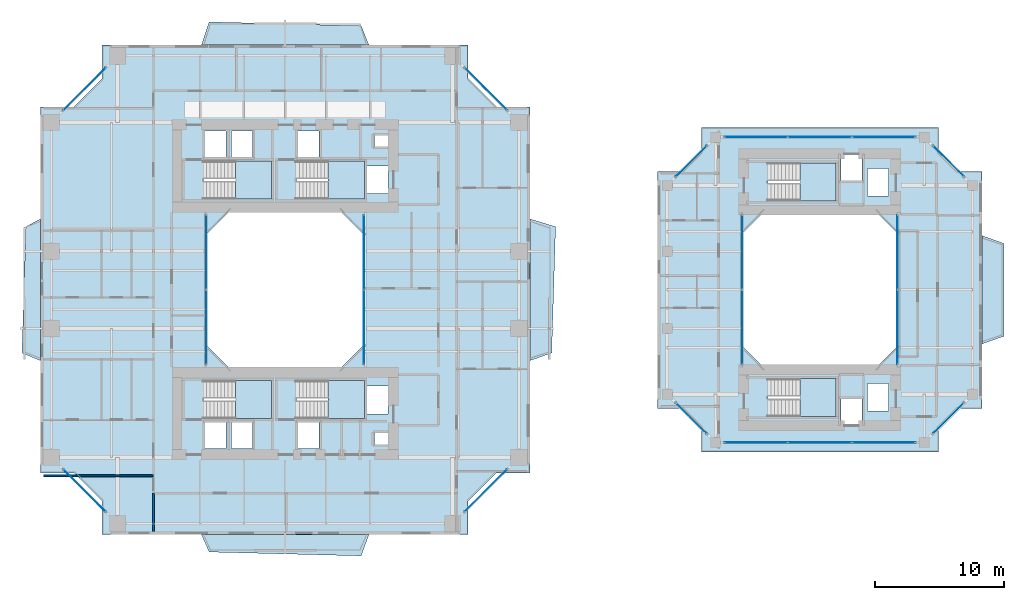
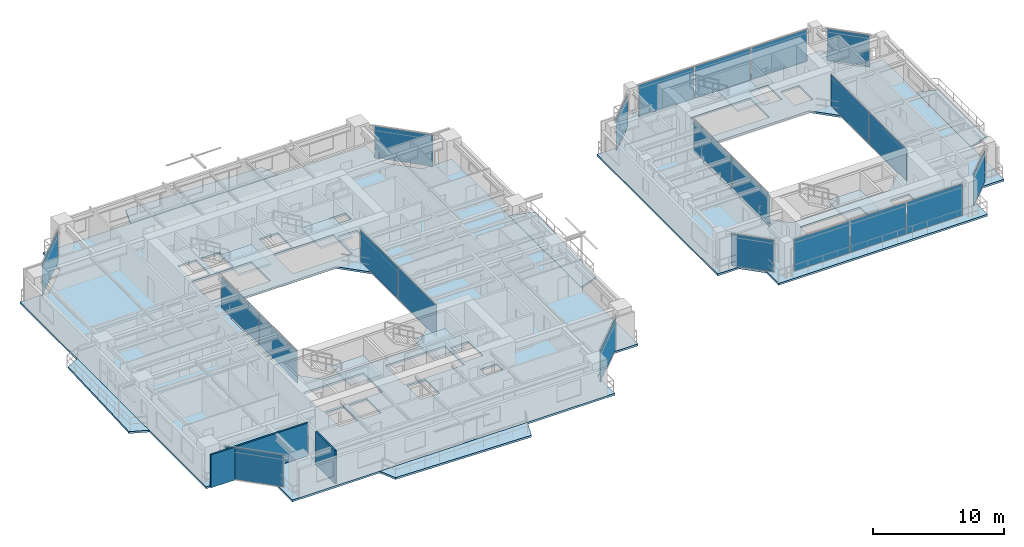
# One storey, part 11 of 23: 22 plates, 13 slabs, 2 walls, 20 elements without a shape of their own.
"""IFC4 building model written with IfcOpenShell, lengths in metres."""

import ifcopenshell
import ifcopenshell.guid

model = None  # the IFC model being written
_history = None  # IfcOwnerHistory: only IFC2X3 demands one
_inside = {}  # id of a spatial element -> (the spatial element, [elements in it])
_under = {}  # id of a project, library or spatial element -> (it, [spatial elements below it])
_declared = {}  # id of a project -> (the project, [libraries it declares])
_typed = {}  # id of a type object -> (the type object, [elements of that type])
_made_of = {}  # id of a material, layer set ... -> (it, [elements and type objects made of it])


def new_model(schema):
    """Start an empty IFC model of exactly this schema.

    Asked for "IFC4X3", IfcOpenShell would pick the latest addendum, in which some entities
    have other attributes; the version numbers below select the first issue.
    IFC2X3 requires an IfcOwnerHistory on every rooted entity: one is made here for all.
    """
    global model, _history
    if schema == "IFC4X3":
        model = ifcopenshell.file(schema_version=(4, 3, 0, 0))
    else:
        model = ifcopenshell.file(schema=schema)
    _inside.clear()
    _under.clear()
    _declared.clear()
    _typed.clear()
    _made_of.clear()
    _history = None
    if model.schema == "IFC2X3":
        org = make("IfcOrganization", Name="unknown")
        user = make(
            "IfcPersonAndOrganization",
            ThePerson=make("IfcPerson", FamilyName="unknown"),
            TheOrganization=org,
        )
        app = make(
            "IfcApplication",
            ApplicationDeveloper=org,
            Version="unknown",
            ApplicationFullName="unknown",
            ApplicationIdentifier="unknown",
        )
        _history = make(
            "IfcOwnerHistory",
            OwningUser=user,
            OwningApplication=app,
            ChangeAction="ADDED",
            CreationDate=0,
        )
    return model


def make(cls, **values):
    """One entity of the class cls with the attributes given. An attribute that is None is left unset."""
    return model.create_entity(
        cls, **{name: value for name, value in values.items() if value is not None}
    )


def rooted(cls, **values):
    """An entity with a GlobalId (a new one), such as an element, a storey or a relation."""
    return make(cls, GlobalId=ifcopenshell.guid.new(), OwnerHistory=_history, **values)


def si_unit(unit_type, name, prefix=None):
    """IfcSIUnit, for example si_unit("LENGTHUNIT", "METRE", prefix="MILLI")."""
    return make("IfcSIUnit", UnitType=unit_type, Prefix=prefix, Name=name)


def assignment(units):
    """IfcUnitAssignment: the units of a project."""
    return None if units is None else make("IfcUnitAssignment", Units=units)


def point(xyz):
    """IfcCartesianPoint."""
    return None if xyz is None else make("IfcCartesianPoint", Coordinates=xyz)


def direction(xyz):
    """IfcDirection."""
    return None if xyz is None else make("IfcDirection", DirectionRatios=xyz)


def frame(location, z_axis=None, x_axis=None):
    """IfcAxis2Placement3D, a coordinate frame: its origin and axes. An axis left out is left unset."""
    return make(
        "IfcAxis2Placement3D",
        Location=point(location),
        Axis=direction(z_axis),
        RefDirection=direction(x_axis),
    )


def frame_2d(location, x_axis=None):
    """IfcAxis2Placement2D, a coordinate frame in the plane: its origin and x axis."""
    return make(
        "IfcAxis2Placement2D", Location=point(location), RefDirection=direction(x_axis)
    )


def origin():
    """The frame at (0, 0, 0) with its axes left unset."""
    return frame((0.0, 0.0, 0.0))


def origin_2d():
    """The frame at (0, 0) in the plane with its x axis left unset."""
    return frame_2d((0.0, 0.0))


def place(relative_to, where):
    """IfcLocalPlacement: puts the frame where relative to a parent placement (None: the world)."""
    return make(
        "IfcLocalPlacement", PlacementRelTo=relative_to, RelativePlacement=where
    )


def context(
    kind, dimensions, precision=None, world=None, true_north=None, identifier=None
):
    """IfcGeometricRepresentationContext, for example the 3D "Model" context."""
    return make(
        "IfcGeometricRepresentationContext",
        ContextIdentifier=identifier,
        ContextType=kind,
        CoordinateSpaceDimension=dimensions,
        Precision=precision,
        WorldCoordinateSystem=world,
        TrueNorth=true_north,
    )


def subcontext(parent, identifier, kind, view, scale=None):
    """IfcGeometricRepresentationSubContext, for example "Body" below "Model"."""
    return make(
        "IfcGeometricRepresentationSubContext",
        ContextIdentifier=identifier,
        ContextType=kind,
        ParentContext=parent,
        TargetScale=scale,
        TargetView=view,
    )


def project(units=None, contexts=None):
    """IfcProject with its units and contexts."""
    return rooted(
        "IfcProject",
        Name="project",
        RepresentationContexts=contexts,
        UnitsInContext=assignment(units),
    )


def spatial(cls, under=None, at=None, **own):
    """A site, building, storey or space (cls), placed at a placement, below another one or the project."""
    s = rooted(cls, ObjectPlacement=at, **own)
    if under is not None:
        _under.setdefault(under.id(), (under, []))[1].append(s)
    return s


def polyline(points):
    """IfcPolyline through the points."""
    return make("IfcPolyline", Points=[point(p) for p in points])


def profile(cls, at=None, kind="AREA", **sizes):
    """A parametric profile (cls). Its sizes go by their IFC names, for example OverallWidth=200.0."""
    return make(cls, ProfileType=kind, Position=at, **sizes)


def rectangle(**sizes):
    """IfcRectangleProfileDef."""
    return profile("IfcRectangleProfileDef", **sizes)


def outline(outer, holes=None, kind="AREA"):
    """IfcArbitraryClosedProfileDef: a profile drawn as a closed curve; with holes, ...WithVoids."""
    if holes is None:
        return make("IfcArbitraryClosedProfileDef", ProfileType=kind, OuterCurve=outer)
    return make(
        "IfcArbitraryProfileDefWithVoids",
        ProfileType=kind,
        OuterCurve=outer,
        InnerCurves=holes,
    )


def extrude(swept, where, along, depth):
    """IfcExtrudedAreaSolid: the profile swept, set in the frame where, extruded along a direction by depth."""
    return make(
        "IfcExtrudedAreaSolid",
        SweptArea=swept,
        Position=where,
        ExtrudedDirection=direction(along),
        Depth=depth,
    )


def shape(context_of_items, identifier, shape_type, items):
    """IfcShapeRepresentation: the items that make up one representation, for example the "Body"."""
    return make(
        "IfcShapeRepresentation",
        ContextOfItems=context_of_items,
        RepresentationIdentifier=identifier,
        RepresentationType=shape_type,
        Items=items,
    )


def source(mapping_origin, context_of_items, identifier, shape_type, items):
    """IfcRepresentationMap: a shape defined once, which mapped items show again and again."""
    return make(
        "IfcRepresentationMap",
        MappingOrigin=mapping_origin,
        MappedRepresentation=shape(context_of_items, identifier, shape_type, items),
    )


def transform(
    local_origin,
    x_axis=None,
    y_axis=None,
    z_axis=None,
    scale=None,
    scale2=None,
    scale3=None,
    uniform=True,
):
    """IfcCartesianTransformationOperator3D, or its non-uniform kind. x_axis, y_axis, z_axis: its Axis1, 2, 3."""
    if uniform:
        return make(
            "IfcCartesianTransformationOperator3D",
            Axis1=direction(x_axis),
            Axis2=direction(y_axis),
            LocalOrigin=point(local_origin),
            Scale=scale,
            Axis3=direction(z_axis),
        )
    return make(
        "IfcCartesianTransformationOperator3DnonUniform",
        Axis1=direction(x_axis),
        Axis2=direction(y_axis),
        LocalOrigin=point(local_origin),
        Scale=scale,
        Axis3=direction(z_axis),
        Scale2=scale2,
        Scale3=scale3,
    )


def mapped(mapping_source, mapping_target):
    """IfcMappedItem: shows the shape of a source again, moved by a transform."""
    return make(
        "IfcMappedItem", MappingSource=mapping_source, MappingTarget=mapping_target
    )


def material(Name=None, Category=None):
    """IfcMaterial."""
    return make("IfcMaterial", Name=Name, Category=Category)


def layer(
    of_material, thickness, ventilated=None, Name=None, Category=None, Priority=None
):
    """IfcMaterialLayer: one layer of a wall or slab, of a material (None: an air gap)."""
    return make(
        "IfcMaterialLayer",
        Material=of_material,
        LayerThickness=thickness,
        IsVentilated=ventilated,
        Name=Name,
        Category=Category,
        Priority=Priority,
    )


def layer_set(layers, Name=None):
    """IfcMaterialLayerSet."""
    return make("IfcMaterialLayerSet", MaterialLayers=layers, LayerSetName=Name)


def made_of(thing, what):
    """Note that an element or type object is made of a material, layer set ...; save() writes the relation."""
    if what is not None:
        _made_of.setdefault(what.id(), (what, []))[1].append(thing)
    return thing


def type_object(cls, material=None, **own):
    """A type object (cls), such as IfcWallType, which elements share."""
    return made_of(rooted(cls, **own), material)


def element(
    cls,
    number,
    at=None,
    inside=None,
    cuts=None,
    type_object=None,
    material=None,
    context=None,
    identifier="Body",
    shape_type=None,
    held_by="IfcProductDefinitionShape",
    body=None,
    shapes=None,
    **own,
):
    """One element of the class cls, such as IfcWall. Its Tag is "e" and its number.

    at: its placement. inside: the storey or other place that contains it. cuts: it is an
    opening in that element (IfcRelVoidsElement). A single representation is given by context,
    identifier, shape_type and body (its items); several are given by shapes. held_by: the class
    of the entity that holds the representations. save() writes the other relations.
    """
    e = rooted(cls, Tag="e%d" % number, ObjectPlacement=at, **own)
    if body is not None:
        shapes = [shape(context, identifier, shape_type, body)]
    if shapes is not None:
        e.Representation = make(held_by, Representations=shapes)
    if inside is not None:
        _inside.setdefault(inside.id(), (inside, []))[1].append(e)
    if cuts is not None:
        rooted(
            "IfcRelVoidsElement", RelatingBuildingElement=cuts, RelatedOpeningElement=e
        )
    if type_object is not None:
        _typed.setdefault(type_object.id(), (type_object, []))[1].append(e)
    return made_of(e, material)


def aggregate(whole, parts):
    """IfcRelAggregates: a whole, such as a stair, and the parts it consists of."""
    return rooted("IfcRelAggregates", RelatingObject=whole, RelatedObjects=parts)


def save(model, path):
    """Write the relations noted so far, then the file.

    IfcRelAggregates (storeys below a building ...), IfcRelContainedInSpatialStructure (elements
    in a storey), IfcRelDefinesByType, IfcRelAssociatesMaterial and IfcRelDeclares: one each for
    every whole, place, type object, material and project.
    """
    for whole, parts in _under.values():
        aggregate(whole, parts)
    for where, things in _inside.values():
        rooted(
            "IfcRelContainedInSpatialStructure",
            RelatedElements=things,
            RelatingStructure=where,
        )
    for kind, things in _typed.values():
        rooted("IfcRelDefinesByType", RelatedObjects=things, RelatingType=kind)
    for what, things in _made_of.values():
        rooted("IfcRelAssociatesMaterial", RelatedObjects=things, RelatingMaterial=what)
    for by, libraries in _declared.values():
        rooted("IfcRelDeclares", RelatingContext=by, RelatedDefinitions=libraries)
    model.write(path)


model = new_model("IFC4")

# Units and contexts
model_context = context("Model", 3, precision=1e-05, world=origin(), true_north=direction((0.0, 1.0)))
body_context = subcontext(model_context, "Body", "Model", "MODEL_VIEW")
ifc_project = project(units=[si_unit("LENGTHUNIT", "METRE"), si_unit("AREAUNIT", "SQUARE_METRE"), si_unit("VOLUMEUNIT", "CUBIC_METRE"), si_unit("PLANEANGLEUNIT", "RADIAN"), si_unit("MASSUNIT", "GRAM", prefix="KILO"), si_unit("THERMODYNAMICTEMPERATUREUNIT", "KELVIN"), si_unit("POWERUNIT", "WATT")], contexts=[model_context])

# Site, building, storey
site_placement = place(None, origin())
site = spatial("IfcSite", under=ifc_project, at=site_placement, CompositionType="ELEMENT")
building_placement = place(site_placement, origin())
building = spatial("IfcBuilding", under=site, at=building_placement, Name="Qiaomeng Ring Towers", CompositionType="ELEMENT")
storey_placement = place(building_placement, frame((0.0, 0.0, 76.25)))
storey = spatial("IfcBuildingStorey", under=building, at=storey_placement, Name="L21", CompositionType="ELEMENT", Elevation=76.25)

# Slabs
ifc_material_1 = material(Name="Concrete C40", Category="concrete")
ifc_layer_1 = layer(ifc_material_1, 0.179931640625, Name="Concrete C40")
ifc_layer_set_1 = layer_set([ifc_layer_1], Name="Concrete C40")
slab_type_1 = type_object("IfcSlabType", Name="STR-SL-180", PredefinedType="FLOOR", material=ifc_layer_set_1)
slab_1_placement = place(storey_placement, frame((0.0, 0.0, -0.179931640625)))
element("IfcSlab", 1, at=slab_1_placement, inside=storey, type_object=slab_type_1, Name="L21 Tower 1 Annular Floor Slab", PredefinedType="FLOOR", context=body_context, shape_type="SweptSolid", body=[
    extrude(outline(polyline([(4.800048828125, 4.0), (33.199951171875, 4.0), (33.199951171875, 6.60009765625), (35.39990234375, 8.800048828125), (38.0, 8.800048828125), (38.0, 37.199951171875), (35.39990234375, 37.199951171875), (33.199951171875, 39.39990234375), (33.199951171875, 42.0), (4.800048828125, 42.0), (4.800048828125, 39.39990234375), (2.60009765625, 37.199951171875), (0.0, 37.199951171875), (0.0, 8.800048828125), (2.60009765625, 8.800048828125), (4.800048828125, 6.60009765625), (4.800048828125, 4.0)]), holes=[polyline([(12.780029296875, 10.679931640625), (12.780029296875, 12.820068359375), (14.419921875, 12.820068359375), (14.419921875, 10.679931640625), (12.780029296875, 10.679931640625)]), polyline([(14.830078125, 12.820068359375), (16.469970703125, 12.820068359375), (16.469970703125, 10.679931640625), (14.830078125, 10.679931640625), (14.830078125, 12.820068359375)]), polyline([(12.679931640625, 15.949951171875), (17.949951171875, 15.949951171875), (17.949951171875, 13.010009765625), (12.679931640625, 13.010009765625), (12.679931640625, 15.949951171875)]), polyline([(25.199951171875, 27.199951171875), (25.199951171875, 18.800048828125), (23.199951171875, 16.800048828125), (14.800048828125, 16.800048828125), (12.800048828125, 18.800048828125), (12.800048828125, 27.199951171875), (14.800048828125, 29.199951171875), (23.199951171875, 29.199951171875), (25.199951171875, 27.199951171875)]), polyline([(12.679931640625, 32.989990234375), (17.949951171875, 32.989990234375), (17.949951171875, 30.050048828125), (12.679931640625, 30.050048828125), (12.679931640625, 32.989990234375)]), polyline([(12.780029296875, 35.320068359375), (14.419921875, 35.320068359375), (14.419921875, 33.179931640625), (12.780029296875, 33.179931640625), (12.780029296875, 35.320068359375)]), polyline([(14.830078125, 35.320068359375), (16.469970703125, 35.320068359375), (16.469970703125, 33.179931640625), (14.830078125, 33.179931640625), (14.830078125, 35.320068359375)]), polyline([(19.97998046875, 35.320068359375), (21.6201171875, 35.320068359375), (21.6201171875, 33.179931640625), (19.97998046875, 33.179931640625), (19.97998046875, 35.320068359375)]), polyline([(25.919921875, 11.89990234375), (27.360107421875, 11.89990234375), (27.360107421875, 11.0), (25.919921875, 11.0), (25.919921875, 11.89990234375)]), polyline([(19.97998046875, 12.820068359375), (21.6201171875, 12.820068359375), (21.6201171875, 10.679931640625), (19.97998046875, 10.679931640625), (19.97998046875, 12.820068359375)]), polyline([(25.360107421875, 15.52001953125), (27.0, 15.52001953125), (27.0, 13.3798828125), (25.360107421875, 13.3798828125), (25.360107421875, 15.52001953125)]), polyline([(19.8798828125, 15.949951171875), (25.14990234375, 15.949951171875), (25.14990234375, 13.010009765625), (19.8798828125, 13.010009765625), (19.8798828125, 15.949951171875)]), polyline([(19.8798828125, 32.989990234375), (25.14990234375, 32.989990234375), (25.14990234375, 30.050048828125), (19.8798828125, 30.050048828125), (19.8798828125, 32.989990234375)]), polyline([(25.360107421875, 32.6201171875), (27.0, 32.6201171875), (27.0, 30.47998046875), (25.360107421875, 30.47998046875), (25.360107421875, 32.6201171875)]), polyline([(25.919921875, 35.0), (27.360107421875, 35.0), (27.360107421875, 34.10009765625), (25.919921875, 34.10009765625), (25.919921875, 35.0)])]), origin(), (0.0, 0.0, 1.0), 0.179931640625),
])
slab_2_placement = place(storey_placement, frame((0.0, 0.0, -0.179931640625)))
element("IfcSlab", 2, at=slab_2_placement, inside=storey, type_object=slab_type_1, Name="L21 Companion Tower 2 Annular Floor Slab", PredefinedType="FLOOR", context=body_context, shape_type="SweptSolid", body=[
    extrude(outline(polyline([(51.300048828125, 10.39990234375), (69.699951171875, 10.39990234375), (69.699951171875, 12.300048828125), (71.199951171875, 13.800048828125), (73.10009765625, 13.800048828125), (73.10009765625, 32.199951171875), (71.199951171875, 32.199951171875), (69.699951171875, 33.699951171875), (69.699951171875, 35.60009765625), (51.300048828125, 35.60009765625), (51.300048828125, 33.699951171875), (49.800048828125, 32.199951171875), (47.89990234375, 32.199951171875), (47.89990234375, 13.800048828125), (49.800048828125, 13.800048828125), (51.300048828125, 12.300048828125), (51.300048828125, 10.39990234375)]), holes=[polyline([(62.1298828125, 12.3798828125), (62.1298828125, 14.52001953125), (63.77001953125, 14.52001953125), (63.77001953125, 12.3798828125), (62.1298828125, 12.3798828125)]), polyline([(56.47998046875, 13.159912109375), (56.47998046875, 16.10009765625), (61.75, 16.10009765625), (61.75, 13.159912109375), (56.47998046875, 13.159912109375)]), polyline([(64.179931640625, 13.580078125), (64.179931640625, 15.719970703125), (65.820068359375, 15.719970703125), (65.820068359375, 13.580078125), (64.179931640625, 13.580078125)]), polyline([(64.800048828125, 29.10009765625), (66.60009765625, 27.300048828125), (66.60009765625, 18.699951171875), (64.800048828125, 16.89990234375), (56.199951171875, 16.89990234375), (54.39990234375, 18.699951171875), (54.39990234375, 27.300048828125), (56.199951171875, 29.10009765625), (64.800048828125, 29.10009765625)]), polyline([(64.179931640625, 30.280029296875), (64.179931640625, 32.419921875), (65.820068359375, 32.419921875), (65.820068359375, 30.280029296875), (64.179931640625, 30.280029296875)]), polyline([(56.47998046875, 32.840087890625), (61.75, 32.840087890625), (61.75, 29.89990234375), (56.47998046875, 29.89990234375), (56.47998046875, 32.840087890625)]), polyline([(62.1298828125, 33.6201171875), (63.77001953125, 33.6201171875), (63.77001953125, 31.47998046875), (62.1298828125, 31.47998046875), (62.1298828125, 33.6201171875)])]), origin(), (0.0, 0.0, 1.0), 0.179931640625),
])
ifc_layer_2 = layer(ifc_material_1, 0.179931640625, Name="Concrete C40")
ifc_layer_set_2 = layer_set([ifc_layer_2], Name="Concrete C40")
slab_type_2 = type_object("IfcSlabType", Name="STR-SL-BAL", PredefinedType="FLOOR", material=ifc_layer_set_2)
slab_3_placement = place(storey_placement, frame((0.0, 0.0, -0.179931640625)))
element("IfcSlab", 3, at=slab_3_placement, inside=storey, type_object=slab_type_2, Name="L21 Tower 1 S Faceted Balcony Slab", PredefinedType="FLOOR", context=body_context, shape_type="SweptSolid", body=[
    extrude(outline(polyline([(24.89990234375, 2.35009765625), (13.10009765625, 2.64990234375), (12.5, 4.0), (25.5, 4.0), (24.89990234375, 2.35009765625)])), origin(), (0.0, 0.0, 1.0), 0.179931640625),
])
slab_4_placement = place(storey_placement, frame((0.0, 0.0, -0.179931640625)))
element("IfcSlab", 4, at=slab_4_placement, inside=storey, type_object=slab_type_2, Name="L21 Tower 1 E Faceted Balcony Slab", PredefinedType="FLOOR", context=body_context, shape_type="SweptSolid", body=[
    extrude(outline(polyline([(39.989990234375, 27.89990234375), (39.68994140625, 18.10009765625), (38.0, 17.5), (38.0, 28.5), (39.989990234375, 27.89990234375)])), origin(), (0.0, 0.0, 1.0), 0.179931640625),
])
slab_5_placement = place(storey_placement, frame((0.0, 0.0, -0.179931640625)))
element("IfcSlab", 5, at=slab_5_placement, inside=storey, type_object=slab_type_2, Name="L21 Tower 1 N Faceted Balcony Slab", PredefinedType="FLOOR", context=body_context, shape_type="SweptSolid", body=[
    extrude(outline(polyline([(12.5, 42.0), (13.10009765625, 43.7900390625), (24.89990234375, 43.489990234375), (25.5, 42.0), (12.5, 42.0)])), origin(), (0.0, 0.0, 1.0), 0.179931640625),
])
slab_6_placement = place(storey_placement, frame((0.0, 0.0, -0.179931640625)))
element("IfcSlab", 6, at=slab_6_placement, inside=storey, type_object=slab_type_2, Name="L21 Tower 1 W Faceted Balcony Slab", PredefinedType="FLOOR", context=body_context, shape_type="SweptSolid", body=[
    extrude(outline(polyline([(0.0, 17.5), (-1.429931640625, 18.10009765625), (-1.1298828125, 27.89990234375), (0.0, 28.5), (0.0, 17.5)])), origin(), (0.0, 0.0, 1.0), 0.179931640625),
])
slab_7_placement = place(storey_placement, frame((0.0, 0.0, -0.179931640625)))
element("IfcSlab", 7, at=slab_7_placement, inside=storey, type_object=slab_type_2, Name="L21 Companion East Faceted Balcony Slab", PredefinedType="FLOOR", context=body_context, shape_type="SweptSolid", body=[
    extrude(outline(polyline([(74.7900390625, 26.60009765625), (74.7900390625, 19.39990234375), (73.10009765625, 18.800048828125), (73.10009765625, 27.199951171875), (74.7900390625, 26.60009765625)])), origin(), (0.0, 0.0, 1.0), 0.179931640625),
])

# Stair, slab
ifc_material_2 = material(Name="Precast concrete C40", Category="concrete")
stair_type = type_object("IfcStairType", Name="ARC-ST-325", PredefinedType="HALF_TURN_STAIR", material=ifc_material_2)
stair_1_placement = place(storey_placement, origin())
stair_1 = element("IfcStair", 8, at=stair_1_placement, inside=storey, type_object=stair_type, Name="L21 Tower 1 North Stair 1", PredefinedType="HALF_TURN_STAIR")
ifc_layer_3 = layer(ifc_material_1, 0.199951171875, Name="Concrete C40")
ifc_layer_set_3 = layer_set([ifc_layer_3], Name="Concrete C40")
slab_type_3 = type_object("IfcSlabType", Name="STR-SL-LANDING", PredefinedType="LANDING", material=ifc_layer_set_3)
slab_8_placement = place(storey_placement, frame((0.0, 0.0, 1.425048828125)))
slab_8 = element("IfcSlab", 9, at=slab_8_placement, type_object=slab_type_3, Name="ST1 landing 1", PredefinedType="LANDING", context=body_context, shape_type="SweptSolid", body=[
    extrude(outline(polyline([(15.139892578125, 30.050048828125), (17.949951171875, 30.050048828125), (17.949951171875, 32.989990234375), (15.139892578125, 32.989990234375), (15.139892578125, 30.050048828125)])), origin(), (0.0, 0.0, 1.0), 0.199951171875),
])
aggregate(stair_1, [slab_8])

stair_2_placement = place(storey_placement, origin())
stair_2 = element("IfcStair", 10, at=stair_2_placement, inside=storey, type_object=stair_type, Name="L21 Tower 1 North Stair 2", PredefinedType="HALF_TURN_STAIR")
slab_9_placement = place(storey_placement, frame((0.0, 0.0, 1.425048828125)))
slab_9 = element("IfcSlab", 11, at=slab_9_placement, type_object=slab_type_3, Name="ST2 landing 1", PredefinedType="LANDING", context=body_context, shape_type="SweptSolid", body=[
    extrude(outline(polyline([(22.340087890625, 30.050048828125), (25.14990234375, 30.050048828125), (25.14990234375, 32.989990234375), (22.340087890625, 32.989990234375), (22.340087890625, 30.050048828125)])), origin(), (0.0, 0.0, 1.0), 0.199951171875),
])
aggregate(stair_2, [slab_9])

stair_3_placement = place(storey_placement, origin())
stair_3 = element("IfcStair", 12, at=stair_3_placement, inside=storey, type_object=stair_type, Name="L21 Tower 1 South Stair 3", PredefinedType="HALF_TURN_STAIR")
slab_10_placement = place(storey_placement, frame((0.0, 0.0, 1.425048828125)))
slab_10 = element("IfcSlab", 13, at=slab_10_placement, type_object=slab_type_3, Name="ST3 landing 1", PredefinedType="LANDING", context=body_context, shape_type="SweptSolid", body=[
    extrude(outline(polyline([(15.139892578125, 13.010009765625), (17.949951171875, 13.010009765625), (17.949951171875, 15.949951171875), (15.139892578125, 15.949951171875), (15.139892578125, 13.010009765625)])), origin(), (0.0, 0.0, 1.0), 0.199951171875),
])
aggregate(stair_3, [slab_10])

stair_4_placement = place(storey_placement, origin())
stair_4 = element("IfcStair", 14, at=stair_4_placement, inside=storey, type_object=stair_type, Name="L21 Tower 1 South Stair 4", PredefinedType="HALF_TURN_STAIR")
slab_11_placement = place(storey_placement, frame((0.0, 0.0, 1.425048828125)))
slab_11 = element("IfcSlab", 15, at=slab_11_placement, type_object=slab_type_3, Name="ST4 landing 1", PredefinedType="LANDING", context=body_context, shape_type="SweptSolid", body=[
    extrude(outline(polyline([(22.340087890625, 13.010009765625), (25.14990234375, 13.010009765625), (25.14990234375, 15.949951171875), (22.340087890625, 15.949951171875), (22.340087890625, 13.010009765625)])), origin(), (0.0, 0.0, 1.0), 0.199951171875),
])
aggregate(stair_4, [slab_11])

stair_5_placement = place(storey_placement, origin())
stair_5 = element("IfcStair", 16, at=stair_5_placement, inside=storey, type_object=stair_type, Name="L21 Companion North Stair 5", PredefinedType="HALF_TURN_STAIR")
slab_12_placement = place(storey_placement, frame((0.0, 0.0, 1.425048828125)))
slab_12 = element("IfcSlab", 17, at=slab_12_placement, type_object=slab_type_3, Name="ST5 landing 1", PredefinedType="LANDING", context=body_context, shape_type="SweptSolid", body=[
    extrude(outline(polyline([(58.93994140625, 29.89990234375), (61.75, 29.89990234375), (61.75, 32.840087890625), (58.93994140625, 32.840087890625), (58.93994140625, 29.89990234375)])), origin(), (0.0, 0.0, 1.0), 0.199951171875),
])
aggregate(stair_5, [slab_12])

stair_6_placement = place(storey_placement, origin())
stair_6 = element("IfcStair", 18, at=stair_6_placement, inside=storey, type_object=stair_type, Name="L21 Companion South Stair 6", PredefinedType="HALF_TURN_STAIR")
slab_13_placement = place(storey_placement, frame((0.0, 0.0, 1.425048828125)))
slab_13 = element("IfcSlab", 19, at=slab_13_placement, type_object=slab_type_3, Name="ST6 landing 1", PredefinedType="LANDING", context=body_context, shape_type="SweptSolid", body=[
    extrude(outline(polyline([(58.93994140625, 13.159912109375), (61.75, 13.159912109375), (61.75, 16.10009765625), (58.93994140625, 16.10009765625), (58.93994140625, 13.159912109375)])), origin(), (0.0, 0.0, 1.0), 0.199951171875),
])
aggregate(stair_6, [slab_13])

# Curtain wall, plates
ifc_material_3 = material(Name="Fluorocarbon dark-grey aluminium", Category="aluminium")
ifc_layer_4 = layer(ifc_material_3, 0.139892578125, Name="Fluorocarbon dark-grey aluminium")
ifc_layer_set_4 = layer_set([ifc_layer_4], Name="Fluorocarbon dark-grey aluminium")
curtain_wall_type_1 = type_object("IfcCurtainWallType", Name="ARC-CW-4", PredefinedType="NOTDEFINED", material=ifc_layer_set_4)
curtain_wall_1_placement = place(storey_placement, origin())
curtain_wall_1 = element("IfcCurtainWall", 20, at=curtain_wall_1_placement, inside=storey, type_object=curtain_wall_type_1, Name="L21 Curtain Wall CW4", PredefinedType="NOTDEFINED")
ifc_material_4 = material(Name="Low-E dark-grey laminated double glazing", Category="glass")
ifc_layer_5 = layer(ifc_material_4, 0.028076171875, Name="Low-E dark-grey laminated double glazing")
ifc_layer_set_5 = layer_set([ifc_layer_5], Name="Low-E dark-grey laminated double glazing")
plate_type = type_object("IfcPlateType", Name="ARC-CWP-DARK", PredefinedType="CURTAIN_PANEL", material=ifc_layer_set_5)
shared_shape_1 = source(origin(), body_context, "Body", "SweptSolid", [
    extrude(rectangle(XDim=5.75244140625, YDim=0.028076171875, at=origin_2d()), origin(), (0.0, 0.0, 1.0), 2.93994140625),
])
plate_1_placement = place(storey_placement, frame((12.8798828125, 20.09130859375, 0.06494140625), z_axis=(0.0, 0.0, 1.0), x_axis=(0.0, 1.0, 0.0)))
plate_1 = element("IfcPlate", 21, at=plate_1_placement, type_object=plate_type, Name="CW4 panel 1.1", PredefinedType="CURTAIN_PANEL", context=body_context, shape_type="MappedRepresentation", body=[
    mapped(shared_shape_1, transform((0.0, 0.0, 0.0), x_axis=(1.0, 0.0, 0.0), y_axis=(0.0, 1.0, 0.0), z_axis=(0.0, 0.0, 1.0), scale=1.0)),
])
plate_2_placement = place(storey_placement, frame((12.8798828125, 25.90869140625, 0.06494140625), z_axis=(0.0, 0.0, 1.0), x_axis=(0.0, 1.0, 0.0)))
plate_2 = element("IfcPlate", 22, at=plate_2_placement, type_object=plate_type, Name="CW4 panel 2.1", PredefinedType="CURTAIN_PANEL", context=body_context, shape_type="MappedRepresentation", body=[
    mapped(shared_shape_1, transform((0.0, 0.0, 0.0), x_axis=(1.0, 0.0, 0.0), y_axis=(0.0, 1.0, 0.0), z_axis=(0.0, 0.0, 1.0), scale=1.0)),
])
aggregate(curtain_wall_1, [plate_1, plate_2])

curtain_wall_2_placement = place(storey_placement, origin())
curtain_wall_2 = element("IfcCurtainWall", 23, at=curtain_wall_2_placement, inside=storey, type_object=curtain_wall_type_1, Name="L21 Curtain Wall CW4", PredefinedType="NOTDEFINED")
plate_3_placement = place(storey_placement, frame((25.1201171875, 20.09130859375, 0.06494140625), z_axis=(0.0, 0.0, 1.0), x_axis=(0.0, 1.0, 0.0)))
plate_3 = element("IfcPlate", 24, at=plate_3_placement, type_object=plate_type, Name="CW4 panel 1.1", PredefinedType="CURTAIN_PANEL", context=body_context, shape_type="MappedRepresentation", body=[
    mapped(shared_shape_1, transform((0.0, 0.0, 0.0), x_axis=(1.0, 0.0, 0.0), y_axis=(0.0, 1.0, 0.0), z_axis=(0.0, 0.0, 1.0), scale=1.0)),
])
plate_4_placement = place(storey_placement, frame((25.1201171875, 25.90869140625, 0.06494140625), z_axis=(0.0, 0.0, 1.0), x_axis=(0.0, 1.0, 0.0)))
plate_4 = element("IfcPlate", 25, at=plate_4_placement, type_object=plate_type, Name="CW4 panel 2.1", PredefinedType="CURTAIN_PANEL", context=body_context, shape_type="MappedRepresentation", body=[
    mapped(shared_shape_1, transform((0.0, 0.0, 0.0), x_axis=(1.0, 0.0, 0.0), y_axis=(0.0, 1.0, 0.0), z_axis=(0.0, 0.0, 1.0), scale=1.0)),
])
aggregate(curtain_wall_2, [plate_3, plate_4])

curtain_wall_3_placement = place(storey_placement, origin())
curtain_wall_3 = element("IfcCurtainWall", 26, at=curtain_wall_3_placement, inside=storey, type_object=curtain_wall_type_1, Name="L21 Curtain Wall CW4", PredefinedType="NOTDEFINED")
plate_5_placement = place(storey_placement, frame((54.47998046875, 20.09130859375, 0.06494140625), z_axis=(0.0, 0.0, 1.0), x_axis=(0.0, 1.0, 0.0)))
plate_5 = element("IfcPlate", 27, at=plate_5_placement, type_object=plate_type, Name="CW4 panel 1.1", PredefinedType="CURTAIN_PANEL", context=body_context, shape_type="MappedRepresentation", body=[
    mapped(shared_shape_1, transform((0.0, 0.0, 0.0), x_axis=(1.0, 0.0, 0.0), y_axis=(0.0, 1.0, 0.0), z_axis=(0.0, 0.0, 1.0), scale=1.0)),
])
plate_6_placement = place(storey_placement, frame((54.47998046875, 25.90869140625, 0.06494140625), z_axis=(0.0, 0.0, 1.0), x_axis=(0.0, 1.0, 0.0)))
plate_6 = element("IfcPlate", 28, at=plate_6_placement, type_object=plate_type, Name="CW4 panel 2.1", PredefinedType="CURTAIN_PANEL", context=body_context, shape_type="MappedRepresentation", body=[
    mapped(shared_shape_1, transform((0.0, 0.0, 0.0), x_axis=(1.0, 0.0, 0.0), y_axis=(0.0, 1.0, 0.0), z_axis=(0.0, 0.0, 1.0), scale=1.0)),
])
aggregate(curtain_wall_3, [plate_5, plate_6])

curtain_wall_4_placement = place(storey_placement, origin())
curtain_wall_4 = element("IfcCurtainWall", 29, at=curtain_wall_4_placement, inside=storey, type_object=curtain_wall_type_1, Name="L21 Curtain Wall CW4", PredefinedType="NOTDEFINED")
plate_7_placement = place(storey_placement, frame((66.52001953125, 20.09130859375, 0.06494140625), z_axis=(0.0, 0.0, 1.0), x_axis=(0.0, 1.0, 0.0)))
plate_7 = element("IfcPlate", 30, at=plate_7_placement, type_object=plate_type, Name="CW4 panel 1.1", PredefinedType="CURTAIN_PANEL", context=body_context, shape_type="MappedRepresentation", body=[
    mapped(shared_shape_1, transform((0.0, 0.0, 0.0), x_axis=(1.0, 0.0, 0.0), y_axis=(0.0, 1.0, 0.0), z_axis=(0.0, 0.0, 1.0), scale=1.0)),
])
plate_8_placement = place(storey_placement, frame((66.52001953125, 25.90869140625, 0.06494140625), z_axis=(0.0, 0.0, 1.0), x_axis=(0.0, 1.0, 0.0)))
plate_8 = element("IfcPlate", 31, at=plate_8_placement, type_object=plate_type, Name="CW4 panel 2.1", PredefinedType="CURTAIN_PANEL", context=body_context, shape_type="MappedRepresentation", body=[
    mapped(shared_shape_1, transform((0.0, 0.0, 0.0), x_axis=(1.0, 0.0, 0.0), y_axis=(0.0, 1.0, 0.0), z_axis=(0.0, 0.0, 1.0), scale=1.0)),
])
aggregate(curtain_wall_4, [plate_7, plate_8])

# Curtain wall, plate
ifc_layer_6 = layer(ifc_material_3, 0.159912109375, Name="Fluorocarbon dark-grey aluminium")
ifc_layer_set_6 = layer_set([ifc_layer_6], Name="Fluorocarbon dark-grey aluminium")
curtain_wall_type_2 = type_object("IfcCurtainWallType", Name="ARC-CW-2", PredefinedType="NOTDEFINED", material=ifc_layer_set_6)
curtain_wall_5_placement = place(storey_placement, origin())
curtain_wall_5 = element("IfcCurtainWall", 32, at=curtain_wall_5_placement, inside=storey, type_object=curtain_wall_type_2, Name="L21 Curtain Wall CW2", PredefinedType="NOTDEFINED")
shared_shape_2 = source(origin(), body_context, "Body", "SweptSolid", [
    extrude(rectangle(XDim=4.6259765625, YDim=0.028076171875, at=origin_2d()), origin(), (0.0, 0.0, 1.0), 2.93994140625),
])
plate_9_placement = place(storey_placement, frame((34.574951171875, 7.425048828125, 0.06494140625), z_axis=(0.0, 0.0, 1.0), x_axis=(0.707106781187, 0.707106781187, 0.0)))
plate_9 = element("IfcPlate", 33, at=plate_9_placement, type_object=plate_type, Name="CW2 panel 1.1", PredefinedType="CURTAIN_PANEL", context=body_context, shape_type="MappedRepresentation", body=[
    mapped(shared_shape_2, transform((0.0, 0.0, 0.0), x_axis=(1.0, 0.0, 0.0), y_axis=(0.0, 1.0, 0.0), z_axis=(0.0, 0.0, 1.0), scale=1.0)),
])
aggregate(curtain_wall_5, [plate_9])

curtain_wall_6_placement = place(storey_placement, origin())
curtain_wall_6 = element("IfcCurtainWall", 34, at=curtain_wall_6_placement, inside=storey, type_object=curtain_wall_type_2, Name="L21 Curtain Wall CW2", PredefinedType="NOTDEFINED")
plate_10_placement = place(storey_placement, frame((34.574951171875, 38.574951171875, 0.06494140625), z_axis=(0.0, 0.0, 1.0), x_axis=(-0.707106781187, 0.707106781187, 0.0)))
plate_10 = element("IfcPlate", 35, at=plate_10_placement, type_object=plate_type, Name="CW2 panel 1.1", PredefinedType="CURTAIN_PANEL", context=body_context, shape_type="MappedRepresentation", body=[
    mapped(shared_shape_2, transform((0.0, 0.0, 0.0), x_axis=(1.0, 0.0, 0.0), y_axis=(0.0, 1.0, 0.0), z_axis=(0.0, 0.0, 1.0), scale=1.0)),
])
aggregate(curtain_wall_6, [plate_10])

curtain_wall_7_placement = place(storey_placement, origin())
curtain_wall_7 = element("IfcCurtainWall", 36, at=curtain_wall_7_placement, inside=storey, type_object=curtain_wall_type_2, Name="L21 Curtain Wall CW2", PredefinedType="NOTDEFINED")
plate_11_placement = place(storey_placement, frame((3.425048828125, 38.574951171875, 0.06494140625), z_axis=(0.0, 0.0, 1.0), x_axis=(-0.707106781187, -0.707106781187, 0.0)))
plate_11 = element("IfcPlate", 37, at=plate_11_placement, type_object=plate_type, Name="CW2 panel 1.1", PredefinedType="CURTAIN_PANEL", context=body_context, shape_type="MappedRepresentation", body=[
    mapped(shared_shape_2, transform((0.0, 0.0, 0.0), x_axis=(1.0, 0.0, 0.0), y_axis=(0.0, 1.0, 0.0), z_axis=(0.0, 0.0, 1.0), scale=1.0)),
])
aggregate(curtain_wall_7, [plate_11])

curtain_wall_8_placement = place(storey_placement, origin())
curtain_wall_8 = element("IfcCurtainWall", 38, at=curtain_wall_8_placement, inside=storey, type_object=curtain_wall_type_2, Name="L21 Curtain Wall CW2", PredefinedType="NOTDEFINED")
plate_12_placement = place(storey_placement, frame((3.425048828125, 7.425048828125, 0.06494140625), z_axis=(0.0, 0.0, 1.0), x_axis=(0.707106781187, -0.707106781187, 0.0)))
plate_12 = element("IfcPlate", 39, at=plate_12_placement, type_object=plate_type, Name="CW2 panel 1.1", PredefinedType="CURTAIN_PANEL", context=body_context, shape_type="MappedRepresentation", body=[
    mapped(shared_shape_2, transform((0.0, 0.0, 0.0), x_axis=(1.0, 0.0, 0.0), y_axis=(0.0, 1.0, 0.0), z_axis=(0.0, 0.0, 1.0), scale=1.0)),
])
aggregate(curtain_wall_8, [plate_12])

# Curtain wall, plates
ifc_layer_7 = layer(ifc_material_3, 0.14990234375, Name="Fluorocarbon dark-grey aluminium")
ifc_layer_set_7 = layer_set([ifc_layer_7], Name="Fluorocarbon dark-grey aluminium")
curtain_wall_type_3 = type_object("IfcCurtainWallType", Name="ARC-CW-5", PredefinedType="NOTDEFINED", material=ifc_layer_set_7)
curtain_wall_9_placement = place(storey_placement, origin())
curtain_wall_9 = element("IfcCurtainWall", 40, at=curtain_wall_9_placement, inside=storey, type_object=curtain_wall_type_3, Name="L21 Curtain Wall CW5", PredefinedType="NOTDEFINED")
shared_shape_3 = source(origin(), body_context, "Body", "SweptSolid", [
    extrude(rectangle(XDim=4.868408203125, YDim=0.028076171875, at=origin_2d()), origin(), (0.0, 0.0, 1.0), 2.93994140625),
])
plate_13_placement = place(storey_placement, frame((55.544189453125, 34.85009765625, 0.06494140625), z_axis=(0.0, 0.0, 1.0), x_axis=(1.0, 0.0, 0.0)))
plate_13 = element("IfcPlate", 41, at=plate_13_placement, type_object=plate_type, Name="CW5 panel 1.1", PredefinedType="CURTAIN_PANEL", context=body_context, shape_type="MappedRepresentation", body=[
    mapped(shared_shape_3, transform((0.0, 0.0, 0.0), x_axis=(1.0, 0.0, 0.0), y_axis=(0.0, 1.0, 0.0), z_axis=(0.0, 0.0, 1.0), scale=1.0)),
])
plate_14_placement = place(storey_placement, frame((65.455810546875, 34.85009765625, 0.06494140625), z_axis=(0.0, 0.0, 1.0), x_axis=(1.0, 0.0, 0.0)))
plate_14 = element("IfcPlate", 42, at=plate_14_placement, type_object=plate_type, Name="CW5 panel 3.1", PredefinedType="CURTAIN_PANEL", context=body_context, shape_type="MappedRepresentation", body=[
    mapped(shared_shape_3, transform((0.0, 0.0, 0.0), x_axis=(1.0, 0.0, 0.0), y_axis=(0.0, 1.0, 0.0), z_axis=(0.0, 0.0, 1.0), scale=1.0)),
])

curtain_wall_10_placement = place(storey_placement, origin())
curtain_wall_10 = element("IfcCurtainWall", 43, at=curtain_wall_10_placement, inside=storey, type_object=curtain_wall_type_3, Name="L21 Curtain Wall CW5", PredefinedType="NOTDEFINED")
plate_15_placement = place(storey_placement, frame((55.544189453125, 11.14990234375, 0.06494140625), z_axis=(0.0, 0.0, 1.0), x_axis=(1.0, 0.0, 0.0)))
plate_15 = element("IfcPlate", 44, at=plate_15_placement, type_object=plate_type, Name="CW5 panel 1.1", PredefinedType="CURTAIN_PANEL", context=body_context, shape_type="MappedRepresentation", body=[
    mapped(shared_shape_3, transform((0.0, 0.0, 0.0), x_axis=(1.0, 0.0, 0.0), y_axis=(0.0, 1.0, 0.0), z_axis=(0.0, 0.0, 1.0), scale=1.0)),
])
plate_16_placement = place(storey_placement, frame((65.455810546875, 11.14990234375, 0.06494140625), z_axis=(0.0, 0.0, 1.0), x_axis=(1.0, 0.0, 0.0)))
plate_16 = element("IfcPlate", 45, at=plate_16_placement, type_object=plate_type, Name="CW5 panel 3.1", PredefinedType="CURTAIN_PANEL", context=body_context, shape_type="MappedRepresentation", body=[
    mapped(shared_shape_3, transform((0.0, 0.0, 0.0), x_axis=(1.0, 0.0, 0.0), y_axis=(0.0, 1.0, 0.0), z_axis=(0.0, 0.0, 1.0), scale=1.0)),
])

# Plate
shared_shape_4 = source(origin(), body_context, "Body", "SweptSolid", [
    extrude(rectangle(XDim=4.9033203125, YDim=0.028076171875, at=origin_2d()), origin(), (0.0, 0.0, 1.0), 2.93994140625),
])
plate_17_placement = place(storey_placement, frame((60.5, 34.85009765625, 0.06494140625), z_axis=(0.0, 0.0, 1.0), x_axis=(1.0, 0.0, 0.0)))
plate_17 = element("IfcPlate", 46, at=plate_17_placement, type_object=plate_type, Name="CW5 panel 2.1", PredefinedType="CURTAIN_PANEL", context=body_context, shape_type="MappedRepresentation", body=[
    mapped(shared_shape_4, transform((0.0, 0.0, 0.0), x_axis=(1.0, 0.0, 0.0), y_axis=(0.0, 1.0, 0.0), z_axis=(0.0, 0.0, 1.0), scale=1.0)),
])

aggregate(curtain_wall_9, [plate_13, plate_17, plate_14])

plate_18_placement = place(storey_placement, frame((60.5, 11.14990234375, 0.06494140625), z_axis=(0.0, 0.0, 1.0), x_axis=(1.0, 0.0, 0.0)))
plate_18 = element("IfcPlate", 47, at=plate_18_placement, type_object=plate_type, Name="CW5 panel 2.1", PredefinedType="CURTAIN_PANEL", context=body_context, shape_type="MappedRepresentation", body=[
    mapped(shared_shape_4, transform((0.0, 0.0, 0.0), x_axis=(1.0, 0.0, 0.0), y_axis=(0.0, 1.0, 0.0), z_axis=(0.0, 0.0, 1.0), scale=1.0)),
])

aggregate(curtain_wall_10, [plate_15, plate_18, plate_16])

# Curtain wall, plate
curtain_wall_11_placement = place(storey_placement, origin())
curtain_wall_11 = element("IfcCurtainWall", 48, at=curtain_wall_11_placement, inside=storey, type_object=curtain_wall_type_3, Name="L21 Curtain Wall CW5", PredefinedType="NOTDEFINED")
shared_shape_5 = source(origin(), body_context, "Body", "SweptSolid", [
    extrude(rectangle(XDim=3.35302734375, YDim=0.028076171875, at=origin_2d()), origin(), (0.0, 0.0, 1.0), 2.93994140625),
])
plate_19_placement = place(storey_placement, frame((70.47509765625, 13.02490234375, 0.06494140625), z_axis=(0.0, 0.0, 1.0), x_axis=(0.707106781187, 0.707106781187, 0.0)))
plate_19 = element("IfcPlate", 49, at=plate_19_placement, type_object=plate_type, Name="CW5 panel 1.1", PredefinedType="CURTAIN_PANEL", context=body_context, shape_type="MappedRepresentation", body=[
    mapped(shared_shape_5, transform((0.0, 0.0, 0.0), x_axis=(1.0, 0.0, 0.0), y_axis=(0.0, 1.0, 0.0), z_axis=(0.0, 0.0, 1.0), scale=1.0)),
])
aggregate(curtain_wall_11, [plate_19])

curtain_wall_12_placement = place(storey_placement, origin())
curtain_wall_12 = element("IfcCurtainWall", 50, at=curtain_wall_12_placement, inside=storey, type_object=curtain_wall_type_3, Name="L21 Curtain Wall CW5", PredefinedType="NOTDEFINED")
plate_20_placement = place(storey_placement, frame((70.47509765625, 32.97509765625, 0.06494140625), z_axis=(0.0, 0.0, 1.0), x_axis=(-0.707106781187, 0.707106781187, 0.0)))
plate_20 = element("IfcPlate", 51, at=plate_20_placement, type_object=plate_type, Name="CW5 panel 1.1", PredefinedType="CURTAIN_PANEL", context=body_context, shape_type="MappedRepresentation", body=[
    mapped(shared_shape_5, transform((0.0, 0.0, 0.0), x_axis=(1.0, 0.0, 0.0), y_axis=(0.0, 1.0, 0.0), z_axis=(0.0, 0.0, 1.0), scale=1.0)),
])
aggregate(curtain_wall_12, [plate_20])

curtain_wall_13_placement = place(storey_placement, origin())
curtain_wall_13 = element("IfcCurtainWall", 52, at=curtain_wall_13_placement, inside=storey, type_object=curtain_wall_type_3, Name="L21 Curtain Wall CW5", PredefinedType="NOTDEFINED")
plate_21_placement = place(storey_placement, frame((50.52490234375, 32.97509765625, 0.06494140625), z_axis=(0.0, 0.0, 1.0), x_axis=(-0.707106781187, -0.707106781187, 0.0)))
plate_21 = element("IfcPlate", 53, at=plate_21_placement, type_object=plate_type, Name="CW5 panel 1.1", PredefinedType="CURTAIN_PANEL", context=body_context, shape_type="MappedRepresentation", body=[
    mapped(shared_shape_5, transform((0.0, 0.0, 0.0), x_axis=(1.0, 0.0, 0.0), y_axis=(0.0, 1.0, 0.0), z_axis=(0.0, 0.0, 1.0), scale=1.0)),
])
aggregate(curtain_wall_13, [plate_21])

curtain_wall_14_placement = place(storey_placement, origin())
curtain_wall_14 = element("IfcCurtainWall", 54, at=curtain_wall_14_placement, inside=storey, type_object=curtain_wall_type_3, Name="L21 Curtain Wall CW5", PredefinedType="NOTDEFINED")
plate_22_placement = place(storey_placement, frame((50.52490234375, 13.02490234375, 0.06494140625), z_axis=(0.0, 0.0, 1.0), x_axis=(0.707106781187, -0.707106781187, 0.0)))
plate_22 = element("IfcPlate", 55, at=plate_22_placement, type_object=plate_type, Name="CW5 panel 1.1", PredefinedType="CURTAIN_PANEL", context=body_context, shape_type="MappedRepresentation", body=[
    mapped(shared_shape_5, transform((0.0, 0.0, 0.0), x_axis=(1.0, 0.0, 0.0), y_axis=(0.0, 1.0, 0.0), z_axis=(0.0, 0.0, 1.0), scale=1.0)),
])
aggregate(curtain_wall_14, [plate_22])

# Walls
ifc_material_5 = material(Name="Gypsum fireboard steel-stud partition", Category="steel")
ifc_layer_8 = layer(ifc_material_5, 0.14990234375, Name="Gypsum fireboard steel-stud partition")
ifc_layer_set_8 = layer_set([ifc_layer_8], Name="Gypsum fireboard steel-stud partition")
wall_type = type_object("IfcWallType", Name="ARC-WL-PW3", PredefinedType="PARTITIONING", material=ifc_layer_set_8)
wall_1_placement = place(storey_placement, frame((8.780029296875, 4.25, 0.0), z_axis=(0.0, 0.0, 1.0), x_axis=(0.0, 1.0, 0.0)))
element("IfcWall", 56, at=wall_1_placement, inside=storey, type_object=wall_type, Name="L21 Interior Wall PW3", PredefinedType="PARTITIONING", context=body_context, shape_type="SweptSolid", body=[
    extrude(rectangle(XDim=2.9599609375, YDim=0.14990234375, at=frame_2d((1.47998046875, 0.0))), origin(), (0.0, 0.0, 1.0), 3.070068359375),
])
wall_2_placement = place(storey_placement, frame((0.25, 8.570068359375, 0.0), z_axis=(0.0, 0.0, 1.0), x_axis=(1.0, 0.0, 0.0)))
element("IfcWall", 57, at=wall_2_placement, inside=storey, type_object=wall_type, Name="L21 Interior Wall PW3", PredefinedType="PARTITIONING", context=body_context, shape_type="SweptSolid", body=[
    extrude(rectangle(XDim=8.530029296875, YDim=0.14990234375, at=frame_2d((4.26513671875, 0.0))), origin(), (0.0, 0.0, 1.0), 3.070068359375),
])

save(model, "model.ifc")
